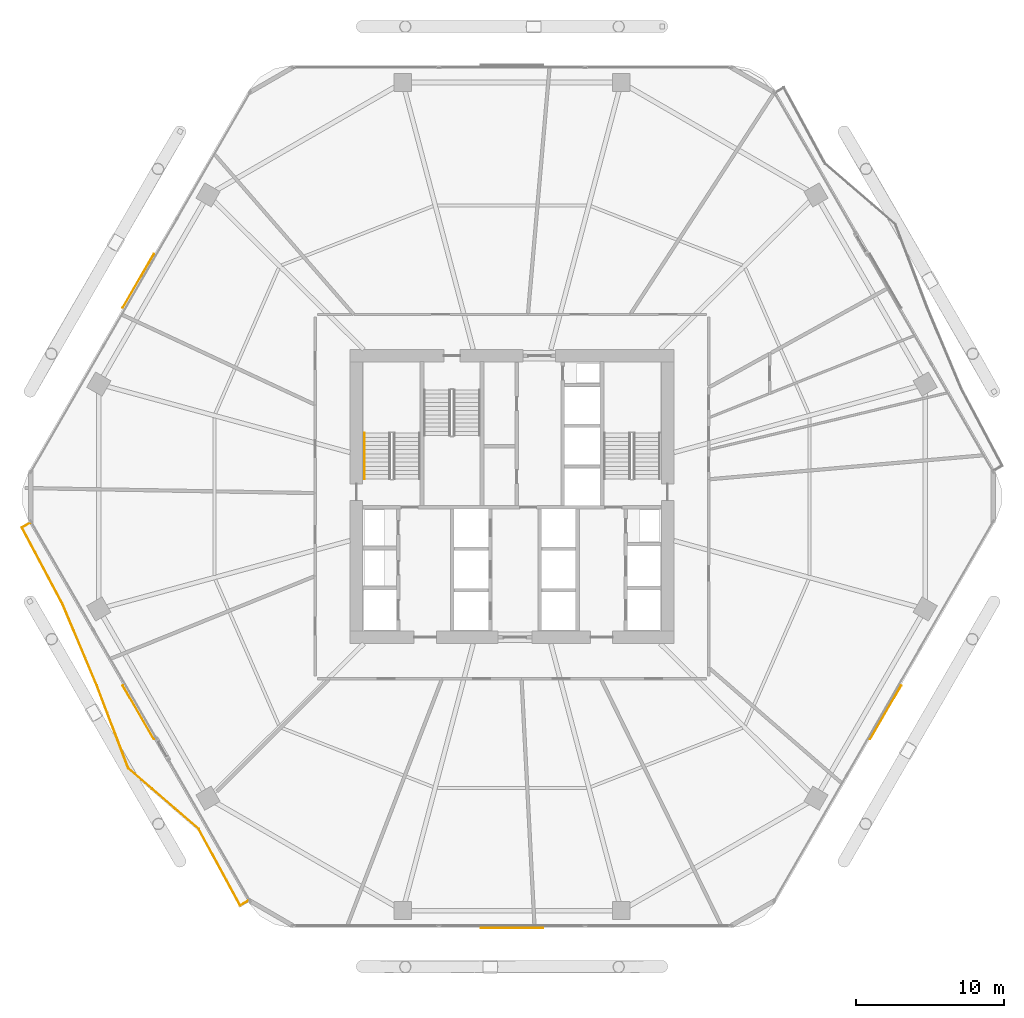
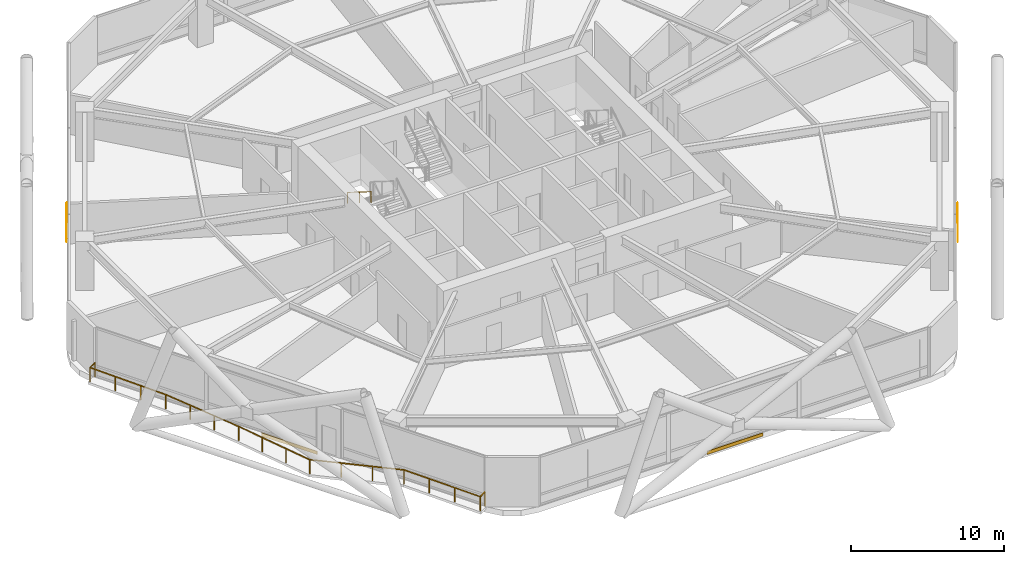
# One storey, part 29 of 31: 4 coverings, 2 railings.
"""IFC4 building model written with IfcOpenShell, lengths in metres."""

from ifc_helpers import new_model, si_unit, direction, frame, origin, origin_2d, place, context, subcontext, project, spatial, rectangle, extrude, material, layer, layer_set, type_object, element, save


model = new_model("IFC4")

# Units and contexts
model_context = context("Model", 3, precision=1e-05, world=origin(), true_north=direction((0.0, 1.0)))
body_context = subcontext(model_context, "Body", "Model", "MODEL_VIEW")
ifc_project = project(units=[si_unit("LENGTHUNIT", "METRE"), si_unit("AREAUNIT", "SQUARE_METRE"), si_unit("VOLUMEUNIT", "CUBIC_METRE"), si_unit("PLANEANGLEUNIT", "RADIAN"), si_unit("MASSUNIT", "GRAM", prefix="KILO")], contexts=[model_context])

# Site, building, storey
site_placement = place(None, origin())
site = spatial("IfcSite", under=ifc_project, at=site_placement, CompositionType="ELEMENT")
building_placement = place(site_placement, origin())
building = spatial("IfcBuilding", under=site, at=building_placement, Name="Zuhravey Tower", CompositionType="ELEMENT")
storey_placement = place(building_placement, frame((0.0, 0.0, 7.800048828125)))
storey = spatial("IfcBuildingStorey", under=building, at=storey_placement, Name="L02", CompositionType="ELEMENT", Elevation=7.800048828125)

# Railing
ifc_material_1 = material(Name="Stainless steel 316 and laminated glass", Category="steel")
railing_type_1 = type_object("IfcRailingType", Name="Balcony & Terrace Guardrail 1150", PredefinedType="BALUSTRADE", material=ifc_material_1)
railing_1_placement = place(storey_placement, frame((18.2119140625, 4.72314453125, 0.0)))
element("IfcRailing", 1, at=railing_1_placement, inside=storey, type_object=railing_type_1, Name="L02 Face 4 Wave Balcony Guardrail GR1", PredefinedType="BALUSTRADE", context=body_context, shape_type="SweptSolid", body=[
    extrude(rectangle(XDim=0.048095703125, YDim=0.048095703125, at=origin_2d()), frame((-0.001708984375, -0.0009765625, 1.1259765625), z_axis=(-0.865924053096, -0.500175503469, 0.0), x_axis=(0.500175503469, -0.865924053096, 0.0)), (0.0, 0.0, 1.0), 0.633544921875),
    extrude(rectangle(XDim=0.048095703125, YDim=0.048095703125, at=origin_2d()), frame((-0.552978515625, -0.317138671875, 1.1259765625), z_axis=(-0.477488803986, 0.878637833278, 0.0), x_axis=(-0.878637833278, -0.477488803986, 0.0)), (0.0, 0.0, 1.0), 5.84521484375),
    extrude(rectangle(XDim=0.048095703125, YDim=0.048095703125, at=origin_2d()), frame((-3.346435546875, 4.82177734375, 1.1259765625), z_axis=(-0.757636806075, 0.652676390014, 0.0), x_axis=(-0.652676390014, -0.757636806075, 0.0)), (0.0, 0.0, 1.0), 6.271728515625),
    extrude(rectangle(XDim=0.048095703125, YDim=0.048095703125, at=origin_2d()), frame((-8.100341796875, 8.91845703125, 1.1259765625), z_axis=(-0.354826374343, 0.934932213623, 0.0), x_axis=(-0.934932213623, -0.354826374343, 0.0)), (0.0, 0.0, 1.0), 5.9814453125),
    extrude(rectangle(XDim=0.048095703125, YDim=0.048095703125, at=origin_2d()), frame((-10.22412109375, 14.514404296875, 1.1259765625), z_axis=(-0.387721394518, 0.921776610808, 0.0), x_axis=(-0.921776610808, -0.387721394518, 0.0)), (0.0, 0.0, 1.0), 5.98046875),
    extrude(rectangle(XDim=0.048095703125, YDim=0.048095703125, at=origin_2d()), frame((-12.544677734375, 20.030517578125, 1.1259765625), z_axis=(-0.469271312141, 0.883054038891, 0.0), x_axis=(-0.883054038891, -0.469271312141, 0.0)), (0.0, 0.0, 1.0), 5.8388671875),
    extrude(rectangle(XDim=0.048095703125, YDim=0.048095703125, at=origin_2d()), frame((-15.283935546875, 25.189453125, 1.1259765625), z_axis=(0.865945423257, 0.500138504756, 0.0), x_axis=(-0.500138504756, 0.865945423257, 0.0)), (0.0, 0.0, 1.0), 0.639404296875),
    extrude(rectangle(XDim=0.0419921875, YDim=0.0419921875, at=origin_2d()), origin(), (0.0, 0.0, 1.0), 1.099853515625),
    extrude(rectangle(XDim=0.0419921875, YDim=0.0419921875, at=origin_2d()), frame((-0.552001953125, -0.31884765625, 0.0)), (0.0, 0.0, 1.0), 1.099853515625),
    extrude(rectangle(XDim=0.0419921875, YDim=0.0419921875, at=origin_2d()), frame((-1.48291015625, 1.394287109375, 0.0)), (0.0, 0.0, 1.0), 1.099853515625),
    extrude(rectangle(XDim=0.0419921875, YDim=0.0419921875, at=origin_2d()), frame((-2.4140625, 3.107421875, 0.0)), (0.0, 0.0, 1.0), 1.099853515625),
    extrude(rectangle(XDim=0.0419921875, YDim=0.0419921875, at=origin_2d()), frame((-3.344970703125, 4.820556640625, 0.0)), (0.0, 0.0, 1.0), 1.099853515625),
    extrude(rectangle(XDim=0.0419921875, YDim=0.0419921875, at=origin_2d()), frame((-4.929931640625, 6.185791015625, 0.0)), (0.0, 0.0, 1.0), 1.099853515625),
    extrude(rectangle(XDim=0.0419921875, YDim=0.0419921875, at=origin_2d()), frame((-6.5146484375, 7.55126953125, 0.0)), (0.0, 0.0, 1.0), 1.099853515625),
    extrude(rectangle(XDim=0.0419921875, YDim=0.0419921875, at=origin_2d()), frame((-8.099609375, 8.91650390625, 0.0)), (0.0, 0.0, 1.0), 1.099853515625),
    extrude(rectangle(XDim=0.0419921875, YDim=0.0419921875, at=origin_2d()), frame((-8.8076171875, 10.78173828125, 0.0)), (0.0, 0.0, 1.0), 1.099853515625),
    extrude(rectangle(XDim=0.0419921875, YDim=0.0419921875, at=origin_2d()), frame((-9.515380859375, 12.647216796875, 0.0)), (0.0, 0.0, 1.0), 1.099853515625),
    extrude(rectangle(XDim=0.0419921875, YDim=0.0419921875, at=origin_2d()), frame((-10.223388671875, 14.512451171875, 0.0)), (0.0, 0.0, 1.0), 1.099853515625),
    extrude(rectangle(XDim=0.0419921875, YDim=0.0419921875, at=origin_2d()), frame((-10.996826171875, 16.351318359375, 0.0)), (0.0, 0.0, 1.0), 1.099853515625),
    extrude(rectangle(XDim=0.0419921875, YDim=0.0419921875, at=origin_2d()), frame((-11.770263671875, 18.18994140625, 0.0)), (0.0, 0.0, 1.0), 1.099853515625),
    extrude(rectangle(XDim=0.0419921875, YDim=0.0419921875, at=origin_2d()), frame((-12.543701171875, 20.02880859375, 0.0)), (0.0, 0.0, 1.0), 1.099853515625),
    extrude(rectangle(XDim=0.0419921875, YDim=0.0419921875, at=origin_2d()), frame((-13.457763671875, 21.748779296875, 0.0)), (0.0, 0.0, 1.0), 1.099853515625),
    extrude(rectangle(XDim=0.0419921875, YDim=0.0419921875, at=origin_2d()), frame((-14.37158203125, 23.468505859375, 0.0)), (0.0, 0.0, 1.0), 1.099853515625),
    extrude(rectangle(XDim=0.0419921875, YDim=0.0419921875, at=origin_2d()), frame((-15.28564453125, 25.1884765625, 0.0)), (0.0, 0.0, 1.0), 1.099853515625),
    extrude(rectangle(XDim=0.0419921875, YDim=0.0419921875, at=origin_2d()), frame((-14.728515625, 25.51025390625, 0.0)), (0.0, 0.0, 1.0), 1.099853515625),
])

# Coverings
ifc_material_2 = material(Name="Architectural GRC cladding panel")
ifc_layer = layer(ifc_material_2, 0.048095703125)
ifc_layer_set = layer_set([ifc_layer], Name="Architectural GRC cladding panel")
covering_type = type_object("IfcCoveringType", Name="Precast Girih Spandrel Cladding CLD2", PredefinedType="CLADDING", material=ifc_layer_set)
for number, where, z_axis, x_axis, name in (
    (2, (61.220703125, 17.438720703125, -0.26025390625), (0.0, 0.0, 1.0), (-0.5, -0.866025403784, 0.0), "L02 Face 6 Girih Spandrel Cladding CLD2"),
    (3, (36.0, 2.87744140625, -0.26025390625), (0.0, 0.0, 1.0), (-1.0, 0.0, 0.0), "L02 Face 5 Girih Spandrel Cladding CLD2"),
    (4, (10.779296875, 17.438720703125, -0.26025390625), (0.0, 0.0, 1.0), (-0.5, 0.866025403784, 0.0), "L02 Face 4 Girih Spandrel Cladding CLD2"),
    (5, (10.779296875, 46.561279296875, -0.26025390625), (0.0, 0.0, 1.0), (0.5, 0.866025403784, 0.0), "L02 Face 3 Girih Spandrel Cladding CLD2"),
):
    element("IfcCovering", number, at=place(storey_placement, frame(where, z_axis=z_axis, x_axis=x_axis)), inside=storey, type_object=covering_type, Name=name, PredefinedType="CLADDING", context=body_context, shape_type="SweptSolid", body=[
        extrude(rectangle(XDim=4.199951171875, YDim=0.048095703125, at=origin_2d()), origin(), (0.0, 0.0, 1.0), 0.260009765625),
    ])

# Railing
ifc_material_3 = material(Name="Brushed stainless steel", Category="steel")
railing_type_2 = type_object("IfcRailingType", Name="Stair Wall Handrail 900", PredefinedType="HANDRAIL", material=ifc_material_3)
railing_2_placement = place(storey_placement, frame((26.050048828125, 36.280029296875, 2.27490234375)))
element("IfcRailing", 6, at=railing_2_placement, inside=storey, type_object=railing_type_2, Name="L02 ST1 stair handrail 2", PredefinedType="HANDRAIL", context=body_context, shape_type="SweptSolid", body=[
    extrude(rectangle(XDim=0.048095703125, YDim=0.048095703125, at=origin_2d()), frame((0.0, -0.001708984375, 0.876953125), z_axis=(0.0, -0.847998304005, 0.529998940003), x_axis=(1.0, 0.0, 0.0)), (0.0, 0.0, 1.0), 3.628173828125),
    extrude(rectangle(XDim=0.0419921875, YDim=0.0419921875, at=origin_2d()), origin(), (0.0, 0.0, 1.0), 0.849853515625),
    extrude(rectangle(XDim=0.0419921875, YDim=0.0419921875, at=origin_2d()), frame((0.0, -1.5400390625, 0.96240234375)), (0.0, 0.0, 1.0), 0.849853515625),
    extrude(rectangle(XDim=0.0419921875, YDim=0.0419921875, at=origin_2d()), frame((0.0, -3.080078125, 1.925048828125)), (0.0, 0.0, 1.0), 0.849853515625),
])

save(model, "model.ifc")
